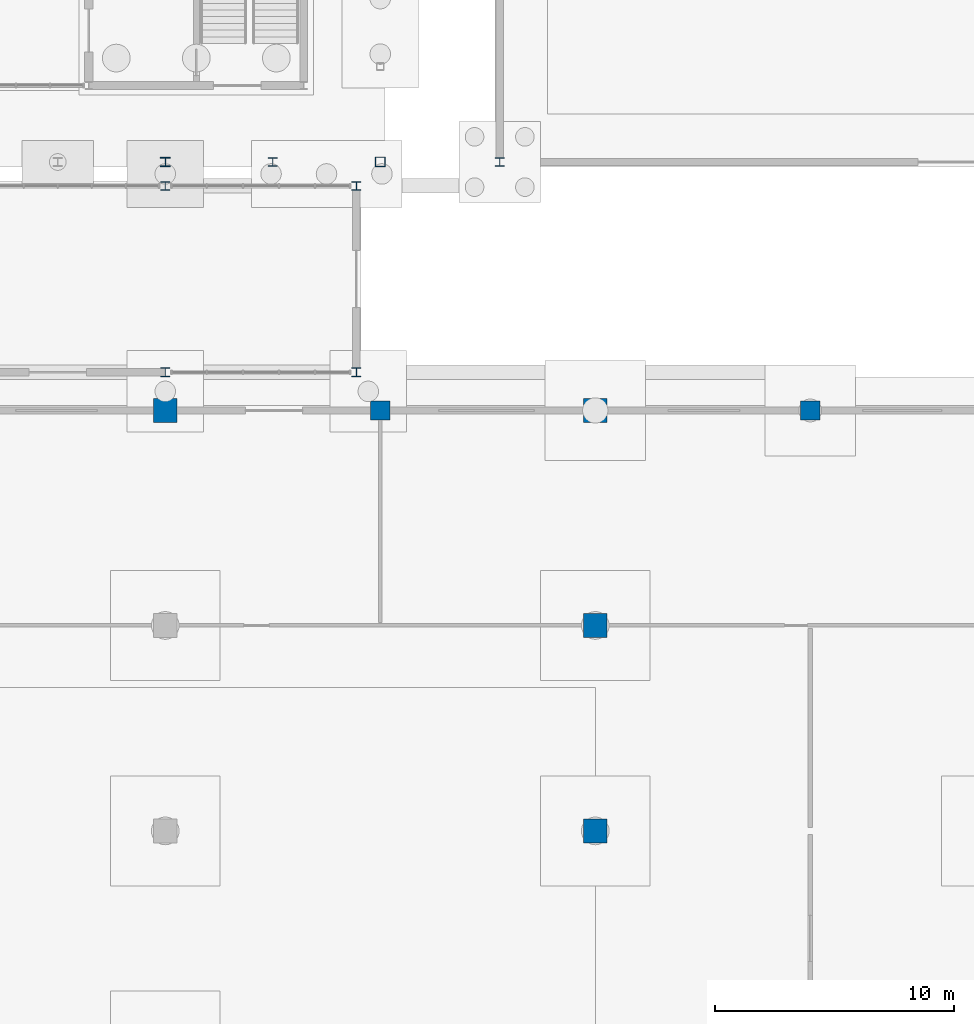
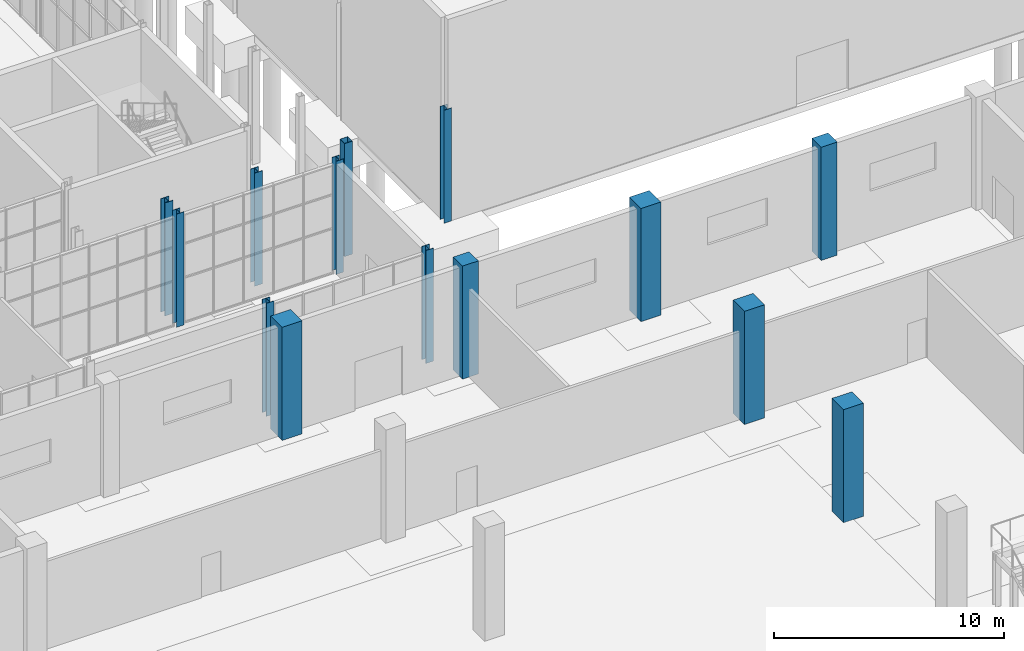
# One storey, part 28 of 131: 14 columns.
"""IFC4 building model written with IfcOpenShell, lengths in metres."""

from ifc_helpers import new_model, si_unit, direction, frame, origin, origin_2d, place, context, subcontext, project, spatial, rectangle, hollow_rectangle, i_section, extrude, material, material_profile, profile_set, type_object, element, save


model = new_model("IFC4")

# Units and contexts
model_context = context("Model", 3, precision=1e-05, world=origin(), true_north=direction((0.0, 1.0)))
body_context = subcontext(model_context, "Body", "Model", "MODEL_VIEW")
ifc_project = project(units=[si_unit("LENGTHUNIT", "METRE"), si_unit("AREAUNIT", "SQUARE_METRE"), si_unit("VOLUMEUNIT", "CUBIC_METRE"), si_unit("PLANEANGLEUNIT", "RADIAN"), si_unit("MASSUNIT", "GRAM", prefix="KILO")], contexts=[model_context])

# Site, building, storey
site_placement = place(None, origin())
site = spatial("IfcSite", under=ifc_project, at=site_placement, CompositionType="ELEMENT")
building_placement = place(site_placement, origin())
building = spatial("IfcBuilding", under=site, at=building_placement, Name="Cazmaro Siding Exhibition Halls", CompositionType="ELEMENT")
storey_placement = place(building_placement, origin())
storey = spatial("IfcBuildingStorey", under=building, at=storey_placement, Name="L00", CompositionType="ELEMENT", Elevation=0.0)

# Columns
ifc_material_1 = material(Name="Steel ASTM A992 Grade 50", Category="steel")
ifc_material_profile_1 = material_profile(ifc_material_1, i_section(OverallWidth=0.39208984375, OverallDepth=0.3759765625, WebThickness=0.01708984375, FlangeThickness=0.028076171875, at=origin_2d()), Name="W14X145")
ifc_profile_set_1 = profile_set([ifc_material_profile_1], Name="Steel ASTM A992 Grade 50")
column_type_1 = type_object("IfcColumnType", Name="C-03", PredefinedType="COLUMN", material=ifc_profile_set_1)
column_1_placement = place(storey_placement, frame((166.5, 64.0, 0.0), z_axis=(0.0, 0.0, 1.0), x_axis=(1.0, 0.0, 0.0)))
element("IfcColumn", 1, at=column_1_placement, inside=storey, type_object=column_type_1, Name="Column C-03 COL-0163", PredefinedType="COLUMN", context=body_context, shape_type="SweptSolid", body=[
    extrude(i_section(OverallWidth=0.39208984375, OverallDepth=0.3759765625, WebThickness=0.01708984375, FlangeThickness=0.028076171875, at=origin_2d()), origin(), (0.0, 0.0, 1.0), 6.0),
])
ifc_material_2 = material(Name="Steel ASTM A992 Grade 50", Category="steel")
ifc_material_profile_2 = material_profile(ifc_material_2, i_section(OverallWidth=0.367919921875, OverallDepth=0.35595703125, WebThickness=0.010986328125, FlangeThickness=0.01806640625, at=origin_2d()), Name="W14X90")
ifc_profile_set_2 = profile_set([ifc_material_profile_2], Name="Steel ASTM A992 Grade 50")
column_type_2 = type_object("IfcColumnType", Name="C-05", PredefinedType="COLUMN", material=ifc_profile_set_2)
column_2_placement = place(storey_placement, frame((176.0, 64.0, 0.0), z_axis=(0.0, 0.0, 1.0), x_axis=(1.0, 0.0, 0.0)))
element("IfcColumn", 2, at=column_2_placement, inside=storey, type_object=column_type_2, Name="Column C-05 COL-0677", PredefinedType="COLUMN", context=body_context, shape_type="SweptSolid", body=[
    extrude(i_section(OverallWidth=0.367919921875, OverallDepth=0.35595703125, WebThickness=0.010986328125, FlangeThickness=0.01806640625, at=origin_2d()), origin(), (0.0, 0.0, 1.0), 6.0),
])
ifc_material_3 = material(Name="Concrete f'c 45 MPa", Category="concrete")
ifc_material_profile_3 = material_profile(ifc_material_3, rectangle(XDim=1.0, YDim=1.0, at=origin_2d()), Name="RC1000X1000")
ifc_profile_set_3 = profile_set([ifc_material_profile_3], Name="Concrete f'c 45 MPa")
column_type_3 = type_object("IfcColumnType", Name="C-07", PredefinedType="COLUMN", material=ifc_profile_set_3)
for number, where, z_axis, x_axis, name in (
    (3, (162.0, 53.60009765625, 0.0), (0.0, 0.0, 1.0), (1.0, 0.0, 0.0), "Column C-07 COL-0527"),
    (4, (180.0, 36.0, 0.0), (0.0, 0.0, 1.0), (1.0, 0.0, 0.0), "Column C-07 COL-0535"),
    (5, (180.0, 44.60009765625, 0.0), (0.0, 0.0, 1.0), (1.0, 0.0, 0.0), "Column C-07 COL-0537"),
    (6, (180.0, 53.60009765625, 0.0), (0.0, 0.0, 1.0), (1.0, 0.0, 0.0), "Column C-07 COL-0539"),
):
    element("IfcColumn", number, at=place(storey_placement, frame(where, z_axis=z_axis, x_axis=x_axis)), inside=storey, type_object=column_type_3, Name=name, PredefinedType="COLUMN", context=body_context, shape_type="SweptSolid", body=[
        extrude(rectangle(XDim=1.0, YDim=1.0, at=origin_2d()), origin(), (0.0, 0.0, 1.0), 6.0),
    ])
ifc_material_4 = material(Name="Concrete f'c 45 MPa", Category="concrete")
ifc_material_profile_4 = material_profile(ifc_material_4, rectangle(XDim=0.800048828125, YDim=0.800048828125, at=origin_2d()), Name="RC800X800")
ifc_profile_set_4 = profile_set([ifc_material_profile_4], Name="Concrete f'c 45 MPa")
column_type_4 = type_object("IfcColumnType", Name="C-08", PredefinedType="COLUMN", material=ifc_profile_set_4)
for number, where, z_axis, x_axis, name in (
    (7, (171.0, 53.60009765625, 0.0), (0.0, 0.0, 1.0), (1.0, 0.0, 0.0), "Column C-08 COL-0633"),
    (8, (189.0, 53.60009765625, 0.0), (0.0, 0.0, 1.0), (1.0, 0.0, 0.0), "Column C-08 COL-0645"),
):
    element("IfcColumn", number, at=place(storey_placement, frame(where, z_axis=z_axis, x_axis=x_axis)), inside=storey, type_object=column_type_4, Name=name, PredefinedType="COLUMN", context=body_context, shape_type="SweptSolid", body=[
        extrude(rectangle(XDim=0.800048828125, YDim=0.800048828125, at=origin_2d()), origin(), (0.0, 0.0, 1.0), 6.0),
    ])
ifc_material_5 = material(Name="Steel ASTM A992 Grade 50", Category="steel")
ifc_material_profile_5 = material_profile(ifc_material_5, i_section(OverallWidth=0.39892578125, OverallDepth=0.386962890625, WebThickness=0.02099609375, FlangeThickness=0.032958984375, at=origin_2d()), Name="W14X176")
ifc_profile_set_5 = profile_set([ifc_material_profile_5], Name="Steel ASTM A992 Grade 50")
column_type_5 = type_object("IfcColumnType", Name="C-11", PredefinedType="COLUMN", material=ifc_profile_set_5)
column_3_placement = place(storey_placement, frame((162.0, 64.0, 0.0), z_axis=(0.0, 0.0, 1.0), x_axis=(1.0, 0.0, 0.0)))
element("IfcColumn", 9, at=column_3_placement, inside=storey, type_object=column_type_5, Name="Column C-11 COL-0157", PredefinedType="COLUMN", context=body_context, shape_type="SweptSolid", body=[
    extrude(i_section(OverallWidth=0.39892578125, OverallDepth=0.386962890625, WebThickness=0.02099609375, FlangeThickness=0.032958984375, at=origin_2d()), origin(), (0.0, 0.0, 1.0), 6.0),
])
ifc_material_6 = material(Name="Steel ASTM A992 Grade 50", Category="steel")
ifc_material_profile_6 = material_profile(ifc_material_6, i_section(OverallWidth=0.37109375, OverallDepth=0.364013671875, WebThickness=0.012939453125, FlangeThickness=0.02197265625, at=origin_2d()), Name="W14X109")
ifc_profile_set_6 = profile_set([ifc_material_profile_6], Name="Steel ASTM A992 Grade 50")
column_type_6 = type_object("IfcColumnType", Name="C-12", PredefinedType="COLUMN", material=ifc_profile_set_6)
for number, where, z_axis, x_axis, name in (
    (10, (162.0, 55.199951171875, 0.0), (0.0, 0.0, 1.0), (1.0, 0.0, 0.0), "Column C-12 COL-0789"),
    (11, (162.0, 63.0, 0.0), (0.0, 0.0, 1.0), (1.0, 0.0, 0.0), "Column C-12 COL-0790"),
    (12, (170.0, 55.199951171875, 0.0), (0.0, 0.0, 1.0), (1.0, 0.0, 0.0), "Column C-12 COL-0791"),
    (13, (170.0, 63.0, 0.0), (0.0, 0.0, 1.0), (1.0, 0.0, 0.0), "Column C-12 COL-0792"),
):
    element("IfcColumn", number, at=place(storey_placement, frame(where, z_axis=z_axis, x_axis=x_axis)), inside=storey, type_object=column_type_6, Name=name, PredefinedType="COLUMN", context=body_context, shape_type="SweptSolid", body=[
        extrude(i_section(OverallWidth=0.37109375, OverallDepth=0.364013671875, WebThickness=0.012939453125, FlangeThickness=0.02197265625, at=origin_2d()), origin(), (0.0, 0.0, 1.0), 6.0),
    ])
ifc_material_7 = material(Name="Steel ASTM A500 Grade C", Category="steel")
ifc_material_profile_7 = material_profile(ifc_material_7, hollow_rectangle(XDim=0.406005859375, YDim=0.406005859375, WallThickness=0.014892578125, at=origin_2d()), Name="HSS16X16X5/8")
ifc_profile_set_7 = profile_set([ifc_material_profile_7], Name="Steel ASTM A500 Grade C")
column_type_7 = type_object("IfcColumnType", Name="PL-01", PredefinedType="PILASTER", material=ifc_profile_set_7)
column_4_placement = place(storey_placement, frame((171.0, 64.0, 0.0), z_axis=(0.0, 0.0, 1.0), x_axis=(1.0, 0.0, 0.0)))
element("IfcColumn", 14, at=column_4_placement, inside=storey, type_object=column_type_7, Name="Column PL-01 COL-0169", PredefinedType="PILASTER", context=body_context, shape_type="SweptSolid", body=[
    extrude(hollow_rectangle(XDim=0.406005859375, YDim=0.406005859375, WallThickness=0.014892578125, at=origin_2d()), origin(), (0.0, 0.0, 1.0), 6.0),
])

save(model, "model.ifc")
